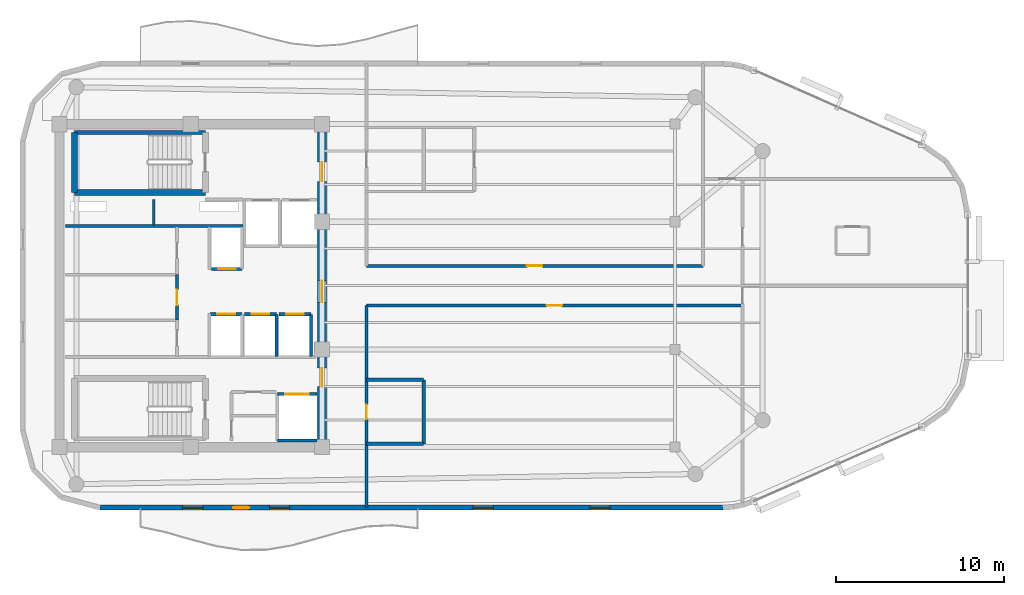
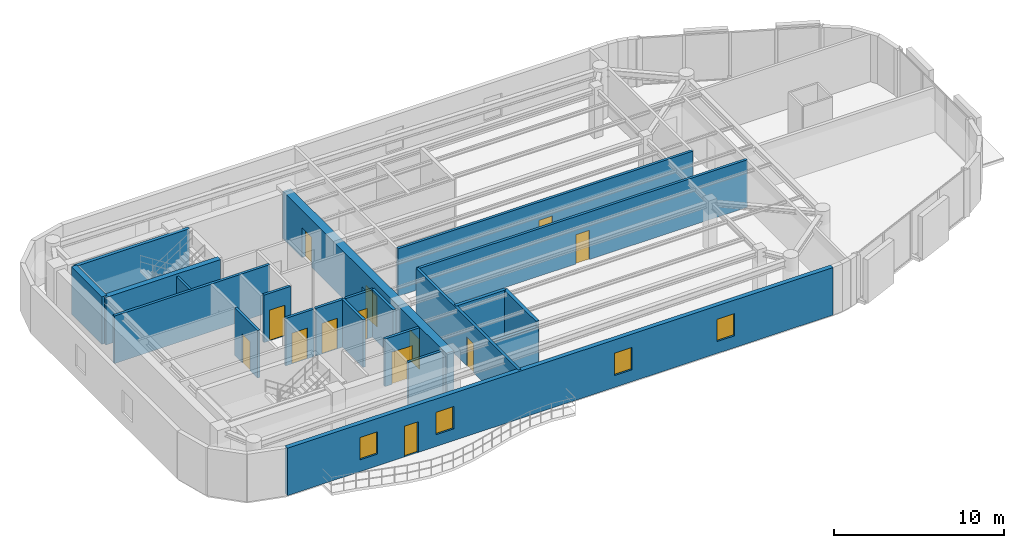
# One storey, part 8 of 12: 22 walls, 13 doors, 4 windows, 17 openings.
"""IFC4 building model written with IfcOpenShell, lengths in metres."""

from ifc_helpers import new_model, si_unit, direction, frame, frame_2d, origin, place, context, subcontext, project, spatial, rectangle, extrude, material, layer, layer_set, type_object, element, fill, save


model = new_model("IFC4")

# Units and contexts
model_context = context("Model", 3, precision=1e-05, world=origin(), true_north=direction((0.0, 1.0)))
body_context = subcontext(model_context, "Body", "Model", "MODEL_VIEW")
ifc_project = project(units=[si_unit("LENGTHUNIT", "METRE"), si_unit("AREAUNIT", "SQUARE_METRE"), si_unit("VOLUMEUNIT", "CUBIC_METRE"), si_unit("PLANEANGLEUNIT", "RADIAN"), si_unit("MASSUNIT", "GRAM", prefix="KILO")], contexts=[model_context])

# Site, building, storey
site_placement = place(None, origin())
site = spatial("IfcSite", under=ifc_project, at=site_placement, CompositionType="ELEMENT")
building_placement = place(site_placement, origin())
building = spatial("IfcBuilding", under=site, at=building_placement, Name="An Khanh Terracotta Commons", CompositionType="ELEMENT")
storey_placement = place(building_placement, frame((0.0, 0.0, 291.64990234375)))
storey = spatial("IfcBuildingStorey", under=building, at=storey_placement, Name="L76", CompositionType="ELEMENT", Elevation=291.64990234375)

# Wall, openings, doors
ifc_material_1 = material(Name="Concrete C50/60", Category="concrete")
ifc_layer_1 = layer(ifc_material_1, 0.550048828125, Name="Concrete C50/60")
ifc_layer_set_1 = layer_set([ifc_layer_1], Name="Concrete C50/60")
wall_type_1 = type_object("IfcWallType", Name="WALL-CORE-550", PredefinedType="SHEAR", material=ifc_layer_set_1)
wall_1_placement = place(storey_placement, frame((37.199951171875, 14.39990234375, 0.0), z_axis=(0.0, 0.0, 1.0), x_axis=(0.0, 1.0, 0.0)))
wall_1 = element("IfcWall", 1, at=wall_1_placement, inside=storey, type_object=wall_type_1, Name="L76 Core Wall CWALL-L76-E", PredefinedType="SHEAR", context=body_context, shape_type="SweptSolid", body=[
    extrude(rectangle(XDim=19.2001953125, YDim=0.550048828125, at=frame_2d((9.60009765625, 0.0))), origin(), (0.0, 0.0, 1.0), 3.41015625),
])
opening_1_placement = place(wall_1_placement, frame((15.800048828125, 0.0, 0.0)))
opening_1 = element("IfcOpeningElement", 2, at=opening_1_placement, cuts=wall_1, Name="Opening D-FFL", PredefinedType="OPENING", context=body_context, shape_type="SweptSolid", body=[
    extrude(rectangle(XDim=1.14990234375, YDim=2.14990234375, at=frame_2d((0.574951171875, 1.074951171875))), frame((0.0, 0.284912109375, 0.0), z_axis=(0.0, -1.0, 0.0), x_axis=(1.0, 0.0, 0.0)), (0.0, 0.0, 1.0), 0.570068359375),
])
opening_2_placement = place(wall_1_placement, frame((3.60009765625, 0.0, 0.0)))
opening_2 = element("IfcOpeningElement", 3, at=opening_2_placement, cuts=wall_1, Name="Opening D-ST", PredefinedType="OPENING", context=body_context, shape_type="SweptSolid", body=[
    extrude(rectangle(XDim=1.10009765625, YDim=2.14990234375, at=frame_2d((0.550048828125, 1.074951171875))), frame((0.0, 0.284912109375, 0.0), z_axis=(0.0, -1.0, 0.0), x_axis=(1.0, 0.0, 0.0)), (0.0, 0.0, 1.0), 0.570068359375),
])
opening_3_placement = place(wall_1_placement, frame((8.60009765625, 0.0, 0.0)))
opening_3 = element("IfcOpeningElement", 4, at=opening_3_placement, cuts=wall_1, Name="Opening D-COR", PredefinedType="OPENING", context=body_context, shape_type="SweptSolid", body=[
    extrude(rectangle(XDim=1.300048828125, YDim=2.199951171875, at=frame_2d((0.64990234375, 1.10009765625))), frame((0.0, 0.284912109375, 0.0), z_axis=(0.0, -1.0, 0.0), x_axis=(1.0, 0.0, 0.0)), (0.0, 0.0, 1.0), 0.570068359375),
])
ifc_material_2 = material(Name="Fire-Rated Glazed Steel Double Door", Category="steel")
door_type_1 = type_object("IfcDoorType", Name="DOOR-CORR-1300", OperationType="NOTDEFINED", PredefinedType="DOOR", material=ifc_material_2)
door_1_placement = place(opening_3_placement, origin())
door_1 = element("IfcDoor", 5, at=door_1_placement, inside=storey, type_object=door_type_1, Name="L76 Passenger Lift Lobby Double Door", OperationType="DOUBLE_DOOR_SINGLE_SWING", OverallHeight=2.199951171875, OverallWidth=1.300048828125, PredefinedType="DOOR", context=body_context, shape_type="SweptSolid", body=[
    extrude(rectangle(XDim=1.300048828125, YDim=2.199951171875, at=frame_2d((0.64990234375, 1.10009765625))), frame((0.0, 0.02490234375, 0.0), z_axis=(0.0, -1.0, 0.0), x_axis=(1.0, 0.0, 0.0)), (0.0, 0.0, 1.0), 0.050048828125),
])
fill(opening_3, door_1)
ifc_material_3 = material(Name="Fire-Rated Steel Leaf and Vision Panel", Category="steel")
door_type_2 = type_object("IfcDoorType", Name="DOOR-FFL-1150", OperationType="NOTDEFINED", PredefinedType="DOOR", material=ifc_material_3)
door_2_placement = place(opening_1_placement, origin())
door_2 = element("IfcDoor", 6, at=door_2_placement, inside=storey, type_object=door_type_2, Name="L76 Firefighting Lift Lobby Fire Door", OperationType="SINGLE_SWING_RIGHT", OverallHeight=2.14990234375, OverallWidth=1.14990234375, PredefinedType="DOOR", context=body_context, shape_type="SweptSolid", body=[
    extrude(rectangle(XDim=1.14990234375, YDim=2.14990234375, at=frame_2d((0.574951171875, 1.074951171875))), frame((0.0, 0.02490234375, 0.0), z_axis=(0.0, -1.0, 0.0), x_axis=(1.0, 0.0, 0.0)), (0.0, 0.0, 1.0), 0.050048828125),
])
fill(opening_1, door_2)
ifc_material_4 = material(Name="Fire-Rated Steel Leaf and Frame", Category="steel")
door_type_3 = type_object("IfcDoorType", Name="DOOR-STAIR-1100", OperationType="NOTDEFINED", PredefinedType="DOOR", material=ifc_material_4)
door_3_placement = place(opening_2_placement, origin())
door_3 = element("IfcDoor", 7, at=door_3_placement, inside=storey, type_object=door_type_3, Name="L76 South Stair Lobby Fire Door", OperationType="SINGLE_SWING_LEFT", OverallHeight=2.14990234375, OverallWidth=1.10009765625, PredefinedType="DOOR", context=body_context, shape_type="SweptSolid", body=[
    extrude(rectangle(XDim=1.10009765625, YDim=2.14990234375, at=frame_2d((0.550048828125, 1.074951171875))), frame((0.0, 0.02490234375, 0.0), z_axis=(0.0, -1.0, 0.0), x_axis=(1.0, 0.0, 0.0)), (0.0, 0.0, 1.0), 0.050048828125),
])
fill(opening_2, door_3)

# Wall
ifc_material_5 = material(Name="Fire-Rated Gypsum Board on Steel Stud", Category="steel")
ifc_layer_2 = layer(ifc_material_5, 0.179931640625, Name="Fire-Rated Gypsum Board on Steel Stud")
ifc_layer_set_2 = layer_set([ifc_layer_2], Name="Fire-Rated Gypsum Board on Steel Stud")
wall_type_2 = type_object("IfcWallType", Name="WALL-CORR-180", PredefinedType="PARTITIONING", material=ifc_layer_set_2)
wall_2_placement = place(storey_placement, frame((21.949951171875, 27.5400390625, 0.0), z_axis=(0.0, 0.0, 1.0), x_axis=(1.0, 0.0, 0.0)))
element("IfcWall", 8, at=wall_2_placement, inside=storey, type_object=wall_type_2, Name="L76 Core Wall RSRW-L76-S", PredefinedType="PARTITIONING", context=body_context, shape_type="SweptSolid", body=[
    extrude(rectangle(XDim=10.56005859375, YDim=0.179931640625, at=frame_2d((5.280029296875, 0.0))), origin(), (0.0, 0.0, 1.0), 3.41015625),
])

# Wall, opening, door
wall_3_placement = place(storey_placement, frame((34.550048828125, 17.550048828125, 0.0), z_axis=(0.0, 0.0, 1.0), x_axis=(1.0, 0.0, 0.0)))
wall_3 = element("IfcWall", 9, at=wall_3_placement, inside=storey, type_object=wall_type_2, Name="L76 Core Wall LSH-L76-SVL-01-N", PredefinedType="PARTITIONING", context=body_context, shape_type="SweptSolid", body=[
    extrude(rectangle(XDim=2.349853515625, YDim=0.179931640625, at=frame_2d((1.1748046875, 0.0))), origin(), (0.0, 0.0, 1.0), 3.41015625),
])
opening_4_placement = place(wall_3_placement, frame((0.47509765625, 0.0, 0.0)))
opening_4 = element("IfcOpeningElement", 10, at=opening_4_placement, cuts=wall_3, Name="Opening LD-SVL-01-L76", PredefinedType="OPENING", context=body_context, shape_type="SweptSolid", body=[
    extrude(rectangle(XDim=1.39990234375, YDim=2.300048828125, at=frame_2d((0.699951171875, 1.14990234375))), frame((0.0, 0.099853515625, 0.0), z_axis=(0.0, -1.0, 0.0), x_axis=(1.0, 0.0, 0.0)), (0.0, 0.0, 1.0), 0.199951171875),
])
ifc_material_6 = material(Name="Heavy-Duty Stainless Steel Goods Landing Door", Category="steel")
door_type_4 = type_object("IfcDoorType", Name="DOOR-LD-SVL-1400", OperationType="NOTDEFINED", PredefinedType="DOOR", material=ifc_material_6)
door_4_placement = place(opening_4_placement, origin())
door_4 = element("IfcDoor", 11, at=door_4_placement, inside=storey, type_object=door_type_4, Name="L76 Lift SVL-01 Sliding Landing Door", OperationType="DOUBLE_DOOR_SLIDING", OverallHeight=2.300048828125, OverallWidth=1.39990234375, PredefinedType="DOOR", context=body_context, shape_type="SweptSolid", body=[
    extrude(rectangle(XDim=1.39990234375, YDim=2.300048828125, at=frame_2d((0.699951171875, 1.14990234375))), frame((0.0, 0.02490234375, 0.0), z_axis=(0.0, -1.0, 0.0), x_axis=(1.0, 0.0, 0.0)), (0.0, 0.0, 1.0), 0.050048828125),
])
fill(opening_4, door_4)

# Wall
wall_4_placement = place(storey_placement, frame((36.89990234375, 14.800048828125, 0.0), z_axis=(0.0, 0.0, 1.0), x_axis=(-1.0, 0.0, 0.0)))
element("IfcWall", 12, at=wall_4_placement, inside=storey, type_object=wall_type_2, Name="L76 Core Wall LSH-L76-SVL-01-S", PredefinedType="PARTITIONING", context=body_context, shape_type="SweptSolid", body=[
    extrude(rectangle(XDim=2.349853515625, YDim=0.179931640625, at=frame_2d((1.1748046875, 0.0))), origin(), (0.0, 0.0, 1.0), 3.41015625),
])

# Wall, opening, door
wall_5_placement = place(storey_placement, frame((32.4599609375, 25.0, 0.0), z_axis=(0.0, 0.0, 1.0), x_axis=(-1.0, 0.0, 0.0)))
wall_5 = element("IfcWall", 13, at=wall_5_placement, inside=storey, type_object=wall_type_2, Name="L76 Core Wall LSH-L76-PL-H1-S", PredefinedType="PARTITIONING", context=body_context, shape_type="SweptSolid", body=[
    extrude(rectangle(XDim=1.820068359375, YDim=0.179931640625, at=frame_2d((0.91015625, 0.0))), origin(), (0.0, 0.0, 1.0), 3.41015625),
])
opening_5_placement = place(wall_5_placement, frame((0.385009765625, 0.0, 0.0)))
opening_5 = element("IfcOpeningElement", 14, at=opening_5_placement, cuts=wall_5, Name="Opening LD-PL-H1-L76", PredefinedType="OPENING", context=body_context, shape_type="SweptSolid", body=[
    extrude(rectangle(XDim=1.050048828125, YDim=2.199951171875, at=frame_2d((0.52490234375, 1.10009765625))), frame((0.0, 0.099853515625, 0.0), z_axis=(0.0, -1.0, 0.0), x_axis=(1.0, 0.0, 0.0)), (0.0, 0.0, 1.0), 0.199951171875),
])
ifc_material_7 = material(Name="Brushed Stainless Steel High-Rise Landing Door", Category="steel")
door_type_5 = type_object("IfcDoorType", Name="DOOR-LD-PAXH-1050", OperationType="NOTDEFINED", PredefinedType="DOOR", material=ifc_material_7)
door_5_placement = place(opening_5_placement, origin())
door_5 = element("IfcDoor", 15, at=door_5_placement, inside=storey, type_object=door_type_5, Name="L76 Lift PL-H1 Sliding Landing Door", OperationType="DOUBLE_DOOR_SLIDING", OverallHeight=2.199951171875, OverallWidth=1.050048828125, PredefinedType="DOOR", context=body_context, shape_type="SweptSolid", body=[
    extrude(rectangle(XDim=1.050048828125, YDim=2.199951171875, at=frame_2d((0.52490234375, 1.10009765625))), frame((0.0, 0.02490234375, 0.0), z_axis=(0.0, -1.0, 0.0), x_axis=(1.0, 0.0, 0.0)), (0.0, 0.0, 1.0), 0.050048828125),
])
fill(opening_5, door_5)

wall_6_placement = place(storey_placement, frame((30.56005859375, 22.300048828125, 0.0), z_axis=(0.0, 0.0, 1.0), x_axis=(1.0, 0.0, 0.0)))
wall_6 = element("IfcWall", 16, at=wall_6_placement, inside=storey, type_object=wall_type_2, Name="L76 Core Wall LSH-L76-PL-H2-N", PredefinedType="PARTITIONING", context=body_context, shape_type="SweptSolid", body=[
    extrude(rectangle(XDim=1.89990234375, YDim=0.179931640625, at=frame_2d((0.949951171875, 0.0))), origin(), (0.0, 0.0, 1.0), 3.41015625),
])
opening_6_placement = place(wall_6_placement, frame((0.425048828125, 0.0, 0.0)))
opening_6 = element("IfcOpeningElement", 17, at=opening_6_placement, cuts=wall_6, Name="Opening LD-PL-H2-L76", PredefinedType="OPENING", context=body_context, shape_type="SweptSolid", body=[
    extrude(rectangle(XDim=1.050048828125, YDim=2.199951171875, at=frame_2d((0.52490234375, 1.10009765625))), frame((0.0, 0.099853515625, 0.0), z_axis=(0.0, -1.0, 0.0), x_axis=(1.0, 0.0, 0.0)), (0.0, 0.0, 1.0), 0.199951171875),
])
door_6_placement = place(opening_6_placement, origin())
door_6 = element("IfcDoor", 18, at=door_6_placement, inside=storey, type_object=door_type_5, Name="L76 Lift PL-H2 Sliding Landing Door", OperationType="DOUBLE_DOOR_SLIDING", OverallHeight=2.199951171875, OverallWidth=1.050048828125, PredefinedType="DOOR", context=body_context, shape_type="SweptSolid", body=[
    extrude(rectangle(XDim=1.050048828125, YDim=2.199951171875, at=frame_2d((0.52490234375, 1.10009765625))), frame((0.0, 0.02490234375, 0.0), z_axis=(0.0, -1.0, 0.0), x_axis=(1.0, 0.0, 0.0)), (0.0, 0.0, 1.0), 0.050048828125),
])
fill(opening_6, door_6)

wall_7_placement = place(storey_placement, frame((32.60009765625, 22.300048828125, 0.0), z_axis=(0.0, 0.0, 1.0), x_axis=(1.0, 0.0, 0.0)))
wall_7 = element("IfcWall", 19, at=wall_7_placement, inside=storey, type_object=wall_type_2, Name="L76 Core Wall LSH-L76-PL-H3-N", PredefinedType="PARTITIONING", context=body_context, shape_type="SweptSolid", body=[
    extrude(rectangle(XDim=1.89990234375, YDim=0.179931640625, at=frame_2d((0.949951171875, 0.0))), origin(), (0.0, 0.0, 1.0), 3.41015625),
])
opening_7_placement = place(wall_7_placement, frame((0.425048828125, 0.0, 0.0)))
opening_7 = element("IfcOpeningElement", 20, at=opening_7_placement, cuts=wall_7, Name="Opening LD-PL-H3-L76", PredefinedType="OPENING", context=body_context, shape_type="SweptSolid", body=[
    extrude(rectangle(XDim=1.050048828125, YDim=2.199951171875, at=frame_2d((0.52490234375, 1.10009765625))), frame((0.0, 0.099853515625, 0.0), z_axis=(0.0, -1.0, 0.0), x_axis=(1.0, 0.0, 0.0)), (0.0, 0.0, 1.0), 0.199951171875),
])
door_7_placement = place(opening_7_placement, origin())
door_7 = element("IfcDoor", 21, at=door_7_placement, inside=storey, type_object=door_type_5, Name="L76 Lift PL-H3 Sliding Landing Door", OperationType="DOUBLE_DOOR_SLIDING", OverallHeight=2.199951171875, OverallWidth=1.050048828125, PredefinedType="DOOR", context=body_context, shape_type="SweptSolid", body=[
    extrude(rectangle(XDim=1.050048828125, YDim=2.199951171875, at=frame_2d((0.52490234375, 1.10009765625))), frame((0.0, 0.02490234375, 0.0), z_axis=(0.0, -1.0, 0.0), x_axis=(1.0, 0.0, 0.0)), (0.0, 0.0, 1.0), 0.050048828125),
])
fill(opening_7, door_7)

# Wall
wall_8_placement = place(storey_placement, frame((34.5, 19.800048828125, 0.0), z_axis=(0.0, 0.0, 1.0), x_axis=(0.0, 1.0, 0.0)))
element("IfcWall", 22, at=wall_8_placement, inside=storey, type_object=wall_type_2, Name="L76 Core Wall LSH-L76-PL-H3-E", PredefinedType="PARTITIONING", context=body_context, shape_type="SweptSolid", body=[
    extrude(rectangle(XDim=2.5, YDim=0.179931640625, at=frame_2d((1.25, 0.0))), origin(), (0.0, 0.0, 1.0), 3.41015625),
])

# Wall, opening, door
wall_9_placement = place(storey_placement, frame((34.639892578125, 22.300048828125, 0.0), z_axis=(0.0, 0.0, 1.0), x_axis=(1.0, 0.0, 0.0)))
wall_9 = element("IfcWall", 23, at=wall_9_placement, inside=storey, type_object=wall_type_2, Name="L76 Core Wall LSH-L76-PL-H4-N", PredefinedType="PARTITIONING", context=body_context, shape_type="SweptSolid", body=[
    extrude(rectangle(XDim=1.900146484375, YDim=0.179931640625, at=frame_2d((0.9501953125, 0.0))), origin(), (0.0, 0.0, 1.0), 3.41015625),
])
opening_8_placement = place(wall_9_placement, frame((0.425048828125, 0.0, 0.0)))
opening_8 = element("IfcOpeningElement", 24, at=opening_8_placement, cuts=wall_9, Name="Opening LD-PL-H4-L76", PredefinedType="OPENING", context=body_context, shape_type="SweptSolid", body=[
    extrude(rectangle(XDim=1.050048828125, YDim=2.199951171875, at=frame_2d((0.52490234375, 1.10009765625))), frame((0.0, 0.099853515625, 0.0), z_axis=(0.0, -1.0, 0.0), x_axis=(1.0, 0.0, 0.0)), (0.0, 0.0, 1.0), 0.199951171875),
])
door_8_placement = place(opening_8_placement, origin())
door_8 = element("IfcDoor", 25, at=door_8_placement, inside=storey, type_object=door_type_5, Name="L76 Lift PL-H4 Sliding Landing Door", OperationType="DOUBLE_DOOR_SLIDING", OverallHeight=2.199951171875, OverallWidth=1.050048828125, PredefinedType="DOOR", context=body_context, shape_type="SweptSolid", body=[
    extrude(rectangle(XDim=1.050048828125, YDim=2.199951171875, at=frame_2d((0.52490234375, 1.10009765625))), frame((0.0, 0.02490234375, 0.0), z_axis=(0.0, -1.0, 0.0), x_axis=(1.0, 0.0, 0.0)), (0.0, 0.0, 1.0), 0.050048828125),
])
fill(opening_8, door_8)

# Wall
wall_10_placement = place(storey_placement, frame((36.5400390625, 19.800048828125, 0.0), z_axis=(0.0, 0.0, 1.0), x_axis=(0.0, 1.0, 0.0)))
element("IfcWall", 26, at=wall_10_placement, inside=storey, type_object=wall_type_2, Name="L76 Core Wall LSH-L76-PL-H4-E", PredefinedType="PARTITIONING", context=body_context, shape_type="SweptSolid", body=[
    extrude(rectangle(XDim=2.5, YDim=0.179931640625, at=frame_2d((1.25, 0.0))), origin(), (0.0, 0.0, 1.0), 3.41015625),
])

# Wall, opening, door
wall_11_placement = place(storey_placement, frame((28.580078125, 21.949951171875, 0.0), z_axis=(0.0, 0.0, 1.0), x_axis=(0.0, 1.0, 0.0)))
wall_11 = element("IfcWall", 27, at=wall_11_placement, inside=storey, type_object=wall_type_2, Name="L76 Core Wall RECW-L76-E2", PredefinedType="PARTITIONING", context=body_context, shape_type="SweptSolid", body=[
    extrude(rectangle(XDim=2.699951171875, YDim=0.179931640625, at=frame_2d((1.35009765625, 0.0))), origin(), (0.0, 0.0, 1.0), 3.41015625),
])
opening_9_placement = place(wall_11_placement, frame((0.889892578125, 0.0, 0.0)))
opening_9 = element("IfcOpeningElement", 28, at=opening_9_placement, cuts=wall_11, Name="Opening D-RM", PredefinedType="OPENING", context=body_context, shape_type="SweptSolid", body=[
    extrude(rectangle(XDim=0.919921875, YDim=2.10009765625, at=frame_2d((0.4599609375, 1.050048828125))), frame((0.0, 0.099853515625, 0.0), z_axis=(0.0, -1.0, 0.0), x_axis=(1.0, 0.0, 0.0)), (0.0, 0.0, 1.0), 0.199951171875),
])
ifc_material_8 = material(Name="Engineered Hardwood Timber Leaf", Category="wood")
door_type_6 = type_object("IfcDoorType", Name="DOOR-INT-920", OperationType="NOTDEFINED", PredefinedType="DOOR", material=ifc_material_8)
door_9_placement = place(opening_9_placement, origin())
door_9 = element("IfcDoor", 29, at=door_9_placement, inside=storey, type_object=door_type_6, Name="L76 Floor Pantry and Tea Room Door", OperationType="SINGLE_SWING_LEFT", OverallHeight=2.10009765625, OverallWidth=0.919921875, PredefinedType="DOOR", context=body_context, shape_type="SweptSolid", body=[
    extrude(rectangle(XDim=0.919921875, YDim=2.10009765625, at=frame_2d((0.4599609375, 1.050048828125))), frame((0.0, 0.02490234375, 0.0), z_axis=(0.0, -1.0, 0.0), x_axis=(1.0, 0.0, 0.0)), (0.0, 0.0, 1.0), 0.050048828125),
])
fill(opening_9, door_9)

wall_12_placement = place(storey_placement, frame((39.85009765625, 22.820068359375, 0.0), z_axis=(0.0, 0.0, 1.0), x_axis=(1.0, 0.0, 0.0)))
wall_12 = element("IfcWall", 30, at=wall_12_placement, inside=storey, type_object=wall_type_2, Name="L76 Interior Partition IW-L76-E003", PredefinedType="PARTITIONING", context=body_context, shape_type="SweptSolid", body=[
    extrude(rectangle(XDim=22.349853515625, YDim=0.179931640625, at=frame_2d((11.1748046875, 0.0))), origin(), (0.0, 0.0, 1.0), 3.41015625),
])
opening_10_placement = place(wall_12_placement, frame((10.715087890625, 0.0, 0.0)))
opening_10 = element("IfcOpeningElement", 31, at=opening_10_placement, cuts=wall_12, Name="Opening D-RM", PredefinedType="OPENING", context=body_context, shape_type="SweptSolid", body=[
    extrude(rectangle(XDim=0.919921875, YDim=2.10009765625, at=frame_2d((0.4599609375, 1.050048828125))), frame((0.0, 0.099853515625, 0.0), z_axis=(0.0, -1.0, 0.0), x_axis=(1.0, 0.0, 0.0)), (0.0, 0.0, 1.0), 0.199951171875),
])
door_10_placement = place(opening_10_placement, origin())
door_10 = element("IfcDoor", 32, at=door_10_placement, inside=storey, type_object=door_type_6, Name="L76 ZW2 Academic Seminar Room Door", OperationType="SINGLE_SWING_LEFT", OverallHeight=2.10009765625, OverallWidth=0.919921875, PredefinedType="DOOR", context=body_context, shape_type="SweptSolid", body=[
    extrude(rectangle(XDim=0.919921875, YDim=2.10009765625, at=frame_2d((0.4599609375, 1.050048828125))), frame((0.0, 0.02490234375, 0.0), z_axis=(0.0, -1.0, 0.0), x_axis=(1.0, 0.0, 0.0)), (0.0, 0.0, 1.0), 0.050048828125),
])
fill(opening_10, door_10)

wall_13_placement = place(storey_placement, frame((39.85009765625, 25.179931640625, 0.0), z_axis=(0.0, 0.0, 1.0), x_axis=(1.0, 0.0, 0.0)))
wall_13 = element("IfcWall", 33, at=wall_13_placement, inside=storey, type_object=wall_type_2, Name="L76 Interior Partition IW-L76-E005", PredefinedType="PARTITIONING", context=body_context, shape_type="SweptSolid", body=[
    extrude(rectangle(XDim=20.0, YDim=0.179931640625, at=frame_2d((10.0, 0.0))), origin(), (0.0, 0.0, 1.0), 3.41015625),
])
opening_11_placement = place(wall_13_placement, frame((9.5400390625, 0.0, 0.0)))
opening_11 = element("IfcOpeningElement", 34, at=opening_11_placement, cuts=wall_13, Name="Opening D-RM", PredefinedType="OPENING", context=body_context, shape_type="SweptSolid", body=[
    extrude(rectangle(XDim=0.919921875, YDim=2.10009765625, at=frame_2d((0.4599609375, 1.050048828125))), frame((0.0, 0.099853515625, 0.0), z_axis=(0.0, -1.0, 0.0), x_axis=(1.0, 0.0, 0.0)), (0.0, 0.0, 1.0), 0.199951171875),
])
door_11_placement = place(opening_11_placement, origin())
door_11 = element("IfcDoor", 35, at=door_11_placement, inside=storey, type_object=door_type_6, Name="L76 ZW1 Collaborative Co-Working Office Door", OperationType="SINGLE_SWING_RIGHT", OverallHeight=2.10009765625, OverallWidth=0.919921875, PredefinedType="DOOR", context=body_context, shape_type="SweptSolid", body=[
    extrude(rectangle(XDim=0.919921875, YDim=2.10009765625, at=frame_2d((0.4599609375, 1.050048828125))), frame((0.0, 0.02490234375, 0.0), z_axis=(0.0, -1.0, 0.0), x_axis=(1.0, 0.0, 0.0)), (0.0, 0.0, 1.0), 0.050048828125),
])
fill(opening_11, door_11)

wall_14_placement = place(storey_placement, frame((39.85009765625, 10.800048828125, 0.0), z_axis=(0.0, 0.0, 1.0), x_axis=(0.0, 1.0, 0.0)))
wall_14 = element("IfcWall", 36, at=wall_14_placement, inside=storey, type_object=wall_type_2, Name="L76 Interior Partition IW-L76-E009", PredefinedType="PARTITIONING", context=body_context, shape_type="SweptSolid", body=[
    extrude(rectangle(XDim=12.02001953125, YDim=0.179931640625, at=frame_2d((6.010009765625, 0.0))), origin(), (0.0, 0.0, 1.0), 3.41015625),
])
opening_12_placement = place(wall_14_placement, frame((5.27001953125, 0.0, 0.0)))
opening_12 = element("IfcOpeningElement", 37, at=opening_12_placement, cuts=wall_14, Name="Opening D-ENS", PredefinedType="OPENING", context=body_context, shape_type="SweptSolid", body=[
    extrude(rectangle(XDim=0.860107421875, YDim=2.10009765625, at=frame_2d((0.43017578125, 1.050048828125))), frame((0.0, 0.099853515625, 0.0), z_axis=(0.0, -1.0, 0.0), x_axis=(1.0, 0.0, 0.0)), (0.0, 0.0, 1.0), 0.199951171875),
])
ifc_material_9 = material(Name="Moisture-Resistant Hardwood Timber Leaf", Category="wood")
door_type_7 = type_object("IfcDoorType", Name="DOOR-BATH-860", OperationType="NOTDEFINED", PredefinedType="DOOR", material=ifc_material_9)
door_12_placement = place(opening_12_placement, origin())
door_12 = element("IfcDoor", 38, at=door_12_placement, inside=storey, type_object=door_type_7, Name="L76 SHW Resident Shared Shower and Washroom Door", OperationType="SINGLE_SWING_LEFT", OverallHeight=2.10009765625, OverallWidth=0.860107421875, PredefinedType="DOOR", context=body_context, shape_type="SweptSolid", body=[
    extrude(rectangle(XDim=0.860107421875, YDim=2.10009765625, at=frame_2d((0.43017578125, 1.050048828125))), frame((0.0, 0.02490234375, 0.0), z_axis=(0.0, -1.0, 0.0), x_axis=(1.0, 0.0, 0.0)), (0.0, 0.0, 1.0), 0.050048828125),
])
fill(opening_12, door_12)

# Wall, openings, door, windows
ifc_material_10 = material(Name="Precast concrete C40/50", Category="concrete")
ifc_layer_3 = layer(ifc_material_10, 0.300048828125, Name="Precast concrete C40/50")
ifc_layer_set_3 = layer_set([ifc_layer_3], Name="Precast concrete C40/50")
wall_type_3 = type_object("IfcWallType", Name="WALL-EXT-300", PredefinedType="SOLIDWALL", material=ifc_layer_set_3)
wall_15_placement = place(storey_placement, frame((24.0, 10.800048828125, 0.0), z_axis=(0.0, 0.0, 1.0), x_axis=(1.0, 0.0, 0.0)))
wall_15 = element("IfcWall", 39, at=wall_15_placement, inside=storey, type_object=wall_type_3, Name="L76 Insulated Terracotta Exterior Wall 4", PredefinedType="SOLIDWALL", context=body_context, shape_type="SweptSolid", body=[
    extrude(rectangle(XDim=37.030029296875, YDim=0.300048828125, at=frame_2d((18.51513671875, 0.0))), origin(), (0.0, 0.0, 1.0), 3.41015625),
])
opening_13_placement = place(wall_15_placement, frame((7.925048828125, 0.0, 0.0)))
opening_13 = element("IfcOpeningElement", 40, at=opening_13_placement, cuts=wall_15, Name="Opening D-BAL", PredefinedType="OPENING", context=body_context, shape_type="SweptSolid", body=[
    extrude(rectangle(XDim=0.949951171875, YDim=2.199951171875, at=frame_2d((0.47509765625, 1.10009765625))), frame((0.0, 0.159912109375, 0.0), z_axis=(0.0, -1.0, 0.0), x_axis=(1.0, 0.0, 0.0)), (0.0, 0.0, 1.0), 0.320068359375),
])
opening_14_placement = place(wall_15_placement, frame((4.9169921875, 0.0, 0.85009765625)))
opening_14 = element("IfcOpeningElement", 41, at=opening_14_placement, cuts=wall_15, Name="Opening W-05", PredefinedType="OPENING", context=body_context, shape_type="SweptSolid", body=[
    extrude(rectangle(XDim=1.199951171875, YDim=1.60009765625, at=frame_2d((0.60009765625, 0.800048828125))), frame((0.0, 0.159912109375, 0.0), z_axis=(0.0, -1.0, 0.0), x_axis=(1.0, 0.0, 0.0)), (0.0, 0.0, 1.0), 0.320068359375),
])
opening_15_placement = place(wall_15_placement, frame((10.0830078125, 0.0, 0.85009765625)))
opening_15 = element("IfcOpeningElement", 42, at=opening_15_placement, cuts=wall_15, Name="Opening W-05", PredefinedType="OPENING", context=body_context, shape_type="SweptSolid", body=[
    extrude(rectangle(XDim=1.199951171875, YDim=1.60009765625, at=frame_2d((0.60009765625, 0.800048828125))), frame((0.0, 0.159912109375, 0.0), z_axis=(0.0, -1.0, 0.0), x_axis=(1.0, 0.0, 0.0)), (0.0, 0.0, 1.0), 0.320068359375),
])
opening_16_placement = place(wall_15_placement, frame((22.193115234375, 0.0, 0.85009765625)))
opening_16 = element("IfcOpeningElement", 43, at=opening_16_placement, cuts=wall_15, Name="Opening W-05", PredefinedType="OPENING", context=body_context, shape_type="SweptSolid", body=[
    extrude(rectangle(XDim=1.199951171875, YDim=1.60009765625, at=frame_2d((0.60009765625, 0.800048828125))), frame((0.0, 0.159912109375, 0.0), z_axis=(0.0, -1.0, 0.0), x_axis=(1.0, 0.0, 0.0)), (0.0, 0.0, 1.0), 0.320068359375),
])
opening_17_placement = place(wall_15_placement, frame((29.136962890625, 0.0, 0.85009765625)))
opening_17 = element("IfcOpeningElement", 44, at=opening_17_placement, cuts=wall_15, Name="Opening W-05", PredefinedType="OPENING", context=body_context, shape_type="SweptSolid", body=[
    extrude(rectangle(XDim=1.199951171875, YDim=1.60009765625, at=frame_2d((0.60009765625, 0.800048828125))), frame((0.0, 0.159912109375, 0.0), z_axis=(0.0, -1.0, 0.0), x_axis=(1.0, 0.0, 0.0)), (0.0, 0.0, 1.0), 0.320068359375),
])
ifc_material_11 = material(Name="Thermally Broken Aluminium and Low-E Glass", Category="aluminium")
door_type_8 = type_object("IfcDoorType", Name="DOOR-BALC-950", OperationType="NOTDEFINED", PredefinedType="DOOR", material=ifc_material_11)
door_13_placement = place(opening_13_placement, origin())
door_13 = element("IfcDoor", 45, at=door_13_placement, inside=storey, type_object=door_type_8, Name="L76 S Wave Balcony Glazed Door", OperationType="SINGLE_SWING_LEFT", OverallHeight=2.199951171875, OverallWidth=0.949951171875, PredefinedType="DOOR", context=body_context, shape_type="SweptSolid", body=[
    extrude(rectangle(XDim=0.949951171875, YDim=2.199951171875, at=frame_2d((0.47509765625, 1.10009765625))), frame((0.0, 0.02490234375, 0.0), z_axis=(0.0, -1.0, 0.0), x_axis=(1.0, 0.0, 0.0)), (0.0, 0.0, 1.0), 0.050048828125),
])
fill(opening_13, door_13)
window_type = type_object("IfcWindowType", Name="WIN-Z5-1200x1600", PartitioningType="SINGLE_PANEL", PredefinedType="WINDOW", material=ifc_material_11)
window_1_placement = place(opening_14_placement, origin())
window_1 = element("IfcWindow", 46, at=window_1_placement, inside=storey, type_object=window_type, Name="L76 Operable Casement Window 4.1", OverallHeight=1.60009765625, OverallWidth=1.199951171875, PartitioningType="SINGLE_PANEL", PredefinedType="WINDOW", context=body_context, shape_type="SweptSolid", body=[
    extrude(rectangle(XDim=1.199951171875, YDim=1.60009765625, at=frame_2d((0.60009765625, 0.800048828125))), frame((0.0, 0.030029296875, 0.0), z_axis=(0.0, -1.0, 0.0), x_axis=(1.0, 0.0, 0.0)), (0.0, 0.0, 1.0), 0.06005859375),
])
fill(opening_14, window_1)
window_2_placement = place(opening_15_placement, origin())
window_2 = element("IfcWindow", 47, at=window_2_placement, inside=storey, type_object=window_type, Name="L76 Operable Casement Window 4.2", OverallHeight=1.60009765625, OverallWidth=1.199951171875, PartitioningType="SINGLE_PANEL", PredefinedType="WINDOW", context=body_context, shape_type="SweptSolid", body=[
    extrude(rectangle(XDim=1.199951171875, YDim=1.60009765625, at=frame_2d((0.60009765625, 0.800048828125))), frame((0.0, 0.030029296875, 0.0), z_axis=(0.0, -1.0, 0.0), x_axis=(1.0, 0.0, 0.0)), (0.0, 0.0, 1.0), 0.06005859375),
])
fill(opening_15, window_2)
window_3_placement = place(opening_16_placement, origin())
window_3 = element("IfcWindow", 48, at=window_3_placement, inside=storey, type_object=window_type, Name="L76 Operable Casement Window 4.3", OverallHeight=1.60009765625, OverallWidth=1.199951171875, PartitioningType="SINGLE_PANEL", PredefinedType="WINDOW", context=body_context, shape_type="SweptSolid", body=[
    extrude(rectangle(XDim=1.199951171875, YDim=1.60009765625, at=frame_2d((0.60009765625, 0.800048828125))), frame((0.0, 0.030029296875, 0.0), z_axis=(0.0, -1.0, 0.0), x_axis=(1.0, 0.0, 0.0)), (0.0, 0.0, 1.0), 0.06005859375),
])
fill(opening_16, window_3)
window_4_placement = place(opening_17_placement, origin())
window_4 = element("IfcWindow", 49, at=window_4_placement, inside=storey, type_object=window_type, Name="L76 Operable Casement Window 4.4", OverallHeight=1.60009765625, OverallWidth=1.199951171875, PartitioningType="SINGLE_PANEL", PredefinedType="WINDOW", context=body_context, shape_type="SweptSolid", body=[
    extrude(rectangle(XDim=1.199951171875, YDim=1.60009765625, at=frame_2d((0.60009765625, 0.800048828125))), frame((0.0, 0.030029296875, 0.0), z_axis=(0.0, -1.0, 0.0), x_axis=(1.0, 0.0, 0.0)), (0.0, 0.0, 1.0), 0.06005859375),
])
fill(opening_17, window_4)

# Walls
ifc_material_12 = material(Name="Acoustic Gypsum Board Partition")
ifc_layer_4 = layer(ifc_material_12, 0.14990234375, Name="Acoustic Gypsum Board Partition")
ifc_layer_set_4 = layer_set([ifc_layer_4], Name="Acoustic Gypsum Board Partition")
wall_type_4 = type_object("IfcWallType", Name="WALL-PART-150", PredefinedType="PARTITIONING", material=ifc_layer_set_4)
wall_16_placement = place(storey_placement, frame((27.199951171875, 27.60009765625, 0.0), z_axis=(0.0, 0.0, 1.0), x_axis=(0.0, 1.0, 0.0)))
element("IfcWall", 50, at=wall_16_placement, inside=storey, type_object=wall_type_4, Name="L76 Core Wall RSRW-L76-D1", PredefinedType="PARTITIONING", context=body_context, shape_type="SweptSolid", body=[
    extrude(rectangle(XDim=1.52001953125, YDim=0.14990234375, at=frame_2d((0.760009765625, 0.0))), origin(), (0.0, 0.0, 1.0), 3.41015625),
])
ifc_material_13 = material(Name="Acoustic Double-Stud Gypsum and Mineral Wool")
ifc_layer_5 = layer(ifc_material_13, 0.219970703125, Name="Acoustic Double-Stud Gypsum and Mineral Wool")
ifc_layer_set_5 = layer_set([ifc_layer_5], Name="Acoustic Double-Stud Gypsum and Mineral Wool")
wall_type_5 = type_object("IfcWallType", Name="WALL-PARTY-220", PredefinedType="PARTITIONING", material=ifc_layer_set_5)
wall_17_placement = place(storey_placement, frame((22.47998046875, 33.110107421875, 0.0), z_axis=(0.0, 0.0, 1.0), x_axis=(1.0, 0.0, 0.0)))
element("IfcWall", 51, at=wall_17_placement, inside=storey, type_object=wall_type_5, Name="L76 Core Wall STW-L76-N-N", PredefinedType="PARTITIONING", context=body_context, shape_type="SweptSolid", body=[
    extrude(rectangle(XDim=7.7900390625, YDim=0.219970703125, at=frame_2d((3.89501953125, 0.0))), origin(), (0.0, 0.0, 1.0), 3.41015625),
])
wall_18_placement = place(storey_placement, frame((39.85009765625, 14.60009765625, 0.0), z_axis=(0.0, 0.0, 1.0), x_axis=(1.0, 0.0, 0.0)))
element("IfcWall", 52, at=wall_18_placement, inside=storey, type_object=wall_type_5, Name="L76 Interior Partition IW-L76-E001", PredefinedType="PARTITIONING", context=body_context, shape_type="SweptSolid", body=[
    extrude(rectangle(XDim=3.39990234375, YDim=0.219970703125, at=frame_2d((1.699951171875, 0.0))), origin(), (0.0, 0.0, 1.0), 3.052001953125),
])
wall_19_placement = place(storey_placement, frame((39.85009765625, 18.39990234375, 0.0), z_axis=(0.0, 0.0, 1.0), x_axis=(1.0, 0.0, 0.0)))
element("IfcWall", 53, at=wall_19_placement, inside=storey, type_object=wall_type_5, Name="L76 Interior Partition IW-L76-E002", PredefinedType="PARTITIONING", context=body_context, shape_type="SweptSolid", body=[
    extrude(rectangle(XDim=3.39990234375, YDim=0.219970703125, at=frame_2d((1.699951171875, 0.0))), origin(), (0.0, 0.0, 1.0), 3.41015625),
])
wall_20_placement = place(storey_placement, frame((43.25, 14.60009765625, 0.0), z_axis=(0.0, 0.0, 1.0), x_axis=(0.0, 1.0, 0.0)))
element("IfcWall", 54, at=wall_20_placement, inside=storey, type_object=wall_type_5, Name="L76 Interior Partition IW-L76-E011", PredefinedType="PARTITIONING", context=body_context, shape_type="SweptSolid", body=[
    extrude(rectangle(XDim=3.7998046875, YDim=0.219970703125, at=frame_2d((1.89990234375, 0.0))), origin(), (0.0, 0.0, 1.0), 3.41015625),
])
ifc_layer_6 = layer(ifc_material_1, 0.35009765625, Name="Concrete C50/60")
ifc_layer_set_6 = layer_set([ifc_layer_6], Name="Concrete C50/60")
wall_type_6 = type_object("IfcWallType", Name="WALL-SHAFT-350", PredefinedType="SOLIDWALL", material=ifc_layer_set_6)
wall_21_placement = place(storey_placement, frame((22.47998046875, 29.530029296875, 0.0), z_axis=(0.0, 0.0, 1.0), x_axis=(1.0, 0.0, 0.0)))
element("IfcWall", 55, at=wall_21_placement, inside=storey, type_object=wall_type_6, Name="L76 Core Wall STW-L76-N-S", PredefinedType="SOLIDWALL", context=body_context, shape_type="SweptSolid", body=[
    extrude(rectangle(XDim=7.7900390625, YDim=0.35009765625, at=frame_2d((3.89501953125, 0.0))), origin(), (0.0, 0.0, 1.0), 3.41015625),
])
wall_22_placement = place(storey_placement, frame((22.47998046875, 29.530029296875, 0.0), z_axis=(0.0, 0.0, 1.0), x_axis=(0.0, 1.0, 0.0)))
element("IfcWall", 56, at=wall_22_placement, inside=storey, type_object=wall_type_6, Name="L76 Core Wall STW-L76-N-W", PredefinedType="SOLIDWALL", context=body_context, shape_type="SweptSolid", body=[
    extrude(rectangle(XDim=3.580078125, YDim=0.35009765625, at=frame_2d((1.7900390625, 0.0))), origin(), (0.0, 0.0, 1.0), 3.41015625),
])

save(model, "model.ifc")
